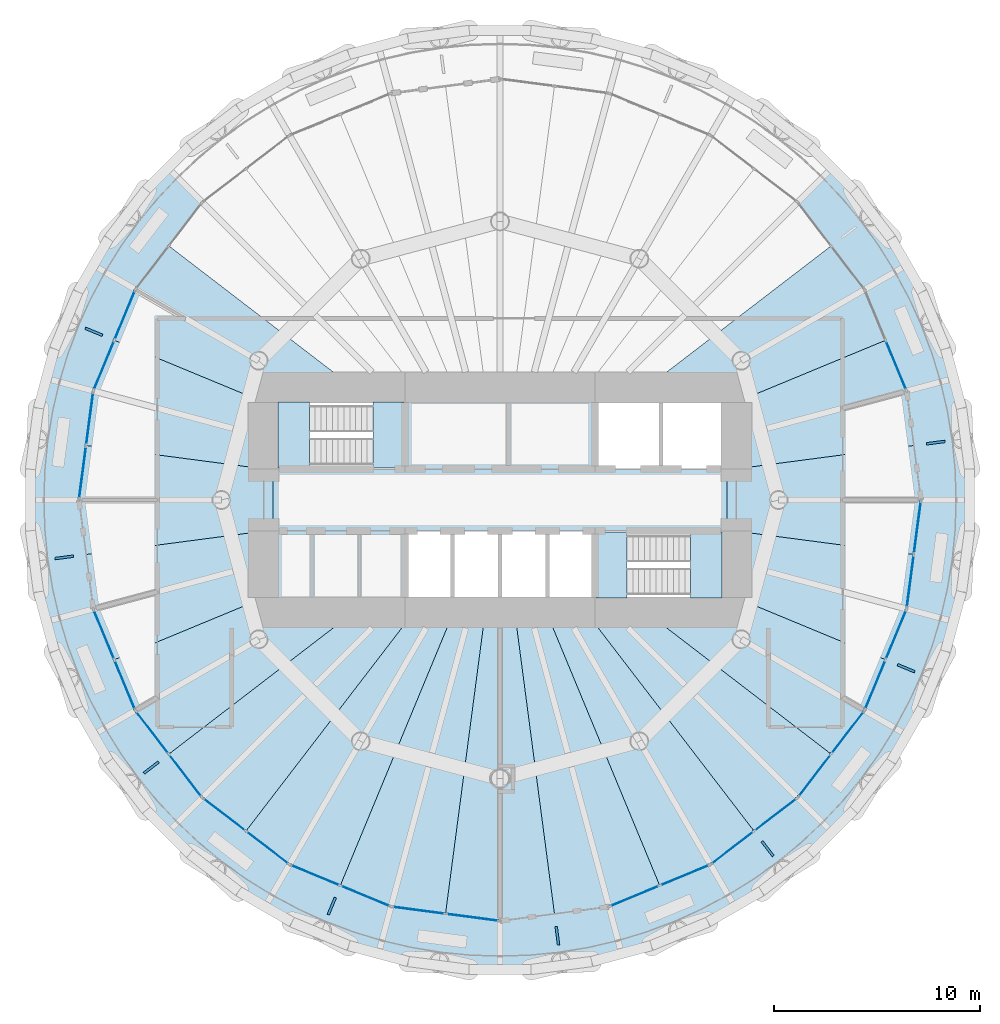
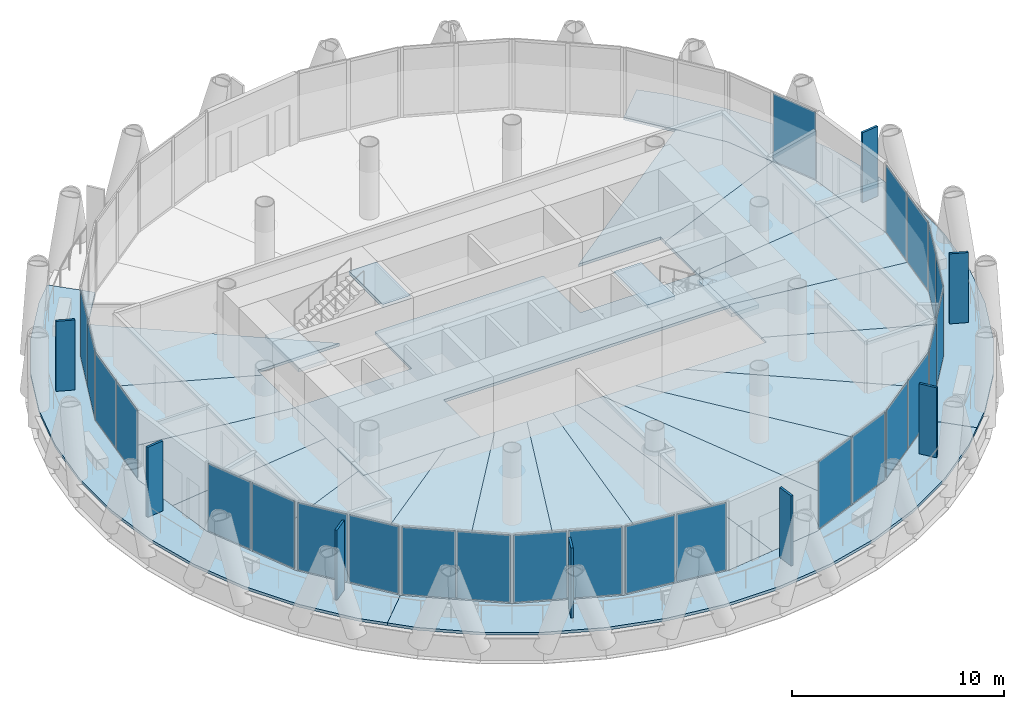
# One storey, part 8 of 14: 33 plates, 25 slabs, 15 elements without a shape of their own.
"""IFC4 building model written with IfcOpenShell, lengths in metres."""

from ifc_helpers import new_model, si_unit, direction, frame, origin, origin_2d, place, context, subcontext, project, spatial, polyline, rectangle, outline, extrude, material, layer, layer_set, type_object, element, aggregate, save


model = new_model("IFC4")

# Units and contexts
model_context = context("Model", 3, precision=1e-05, world=origin(), true_north=direction((0.0, 1.0)))
body_context = subcontext(model_context, "Body", "Model", "MODEL_VIEW")
ifc_project = project(units=[si_unit("LENGTHUNIT", "METRE"), si_unit("AREAUNIT", "SQUARE_METRE"), si_unit("VOLUMEUNIT", "CUBIC_METRE"), si_unit("PLANEANGLEUNIT", "RADIAN"), si_unit("MASSUNIT", "GRAM", prefix="KILO")], contexts=[model_context])

# Site, building, storey
site_placement = place(None, origin())
site = spatial("IfcSite", under=ifc_project, at=site_placement, CompositionType="ELEMENT")
building_placement = place(site_placement, origin())
building = spatial("IfcBuilding", under=site, at=building_placement, Name="Qaws Media Tower", CompositionType="ELEMENT")
storey_placement = place(building_placement, frame((0.0, 0.0, 215.0)))
storey = spatial("IfcBuildingStorey", under=building, at=storey_placement, Name="L49", CompositionType="ELEMENT", Elevation=215.0)

# Slabs
ifc_material_1 = material(Name="Concrete C35/45", Category="concrete")
ifc_layer_1 = layer(ifc_material_1, 0.159912109375)
ifc_layer_set_1 = layer_set([ifc_layer_1], Name="Composite balcony slab 160")
slab_type_1 = type_object("IfcSlabType", Name="Composite balcony slab 160", PredefinedType="FLOOR", material=ifc_layer_set_1)
slab_1_placement = place(storey_placement, frame((0.0, 0.0, -0.159912109375)))
element("IfcSlab", 1, at=slab_1_placement, inside=storey, type_object=slab_type_1, Name="S2 balcony slab L49 R10 to R16, movement joints on R10 and R16", PredefinedType="FLOOR", context=body_context, shape_type="SweptSolid", body=[
    extrude(outline(polyline([(42.858154296875, 34.966796875), (41.04248046875, 37.3330078125), (39.55126953125, 39.915771484375), (38.409912109375, 42.671142578125), (37.63818359375, 45.552001953125), (37.248779296875, 48.5087890625), (37.248779296875, 51.4912109375), (37.63818359375, 54.447998046875), (38.409912109375, 57.328857421875), (39.55126953125, 60.084228515625), (41.04248046875, 62.6669921875), (42.858154296875, 65.033203125), (43.91259765625, 66.08740234375), (45.574951171875, 64.425048828125), (42.3330078125, 60.199951171875), (40.295166015625, 55.27978515625), (39.60009765625, 50.0), (40.295166015625, 44.72021484375), (42.3330078125, 39.800048828125), (45.574951171875, 35.574951171875), (43.91259765625, 33.91259765625), (42.858154296875, 34.966796875)])), origin(), (0.0, 0.0, 1.0), 0.159912109375),
])
slab_2_placement = place(storey_placement, frame((0.0, 0.0, -0.159912109375)))
element("IfcSlab", 2, at=slab_2_placement, inside=storey, type_object=slab_type_1, Name="S2 balcony slab L49 R16 to R22, movement joints on R16 and R22", PredefinedType="FLOOR", context=body_context, shape_type="SweptSolid", body=[
    extrude(outline(polyline([(75.033203125, 32.858154296875), (72.6669921875, 31.04248046875), (70.084228515625, 29.55126953125), (67.328857421875, 28.409912109375), (64.447998046875, 27.63818359375), (61.4912109375, 27.248779296875), (58.5087890625, 27.248779296875), (55.552001953125, 27.63818359375), (52.671142578125, 28.409912109375), (49.915771484375, 29.55126953125), (47.3330078125, 31.04248046875), (44.966796875, 32.858154296875), (43.91259765625, 33.91259765625), (45.574951171875, 35.574951171875), (49.800048828125, 32.3330078125), (54.72021484375, 30.295166015625), (60.0, 29.60009765625), (65.27978515625, 30.295166015625), (70.199951171875, 32.3330078125), (74.425048828125, 35.574951171875), (76.08740234375, 33.91259765625), (75.033203125, 32.858154296875)])), origin(), (0.0, 0.0, 1.0), 0.159912109375),
])
slab_3_placement = place(storey_placement, frame((0.0, 0.0, -0.159912109375)))
element("IfcSlab", 3, at=slab_3_placement, inside=storey, type_object=slab_type_1, Name="S2 balcony slab L49 R22 to R04, movement joints on R22 and R04", PredefinedType="FLOOR", context=body_context, shape_type="SweptSolid", body=[
    extrude(outline(polyline([(82.36181640625, 45.552001953125), (81.590087890625, 42.671142578125), (80.44873046875, 39.915771484375), (78.95751953125, 37.3330078125), (77.141845703125, 34.966796875), (76.08740234375, 33.91259765625), (74.425048828125, 35.574951171875), (77.6669921875, 39.800048828125), (79.704833984375, 44.72021484375), (80.39990234375, 50.0), (79.704833984375, 55.27978515625), (77.6669921875, 60.199951171875), (74.425048828125, 64.425048828125), (76.08740234375, 66.08740234375), (77.141845703125, 65.033203125), (78.95751953125, 62.6669921875), (80.44873046875, 60.084228515625), (81.590087890625, 57.328857421875), (82.36181640625, 54.447998046875), (82.751220703125, 51.4912109375), (82.751220703125, 48.5087890625), (82.36181640625, 45.552001953125)])), origin(), (0.0, 0.0, 1.0), 0.159912109375),
])
ifc_material_2 = material(Name="Concrete C35/45", Category="concrete")
ifc_layer_2 = layer(ifc_material_2, 0.159912109375)
ifc_layer_set_2 = layer_set([ifc_layer_2], Name="Composite floor slab 160")
slab_type_2 = type_object("IfcSlabType", Name="Composite floor slab 160", PredefinedType="FLOOR", material=ifc_layer_set_2)
slab_4_placement = place(storey_placement, frame((0.0, 0.0, -0.159912109375)))
element("IfcSlab", 4, at=slab_4_placement, inside=storey, type_object=slab_type_2, Name="S1 core floor slab L49", PredefinedType="FLOOR", context=body_context, shape_type="SweptSolid", body=[
    extrude(outline(polyline([(71.0, 51.5), (71.0, 48.5), (55.39990234375, 48.5), (55.39990234375, 45.0), (49.0, 45.0), (49.0, 51.5), (55.39990234375, 51.5), (55.39990234375, 55.0), (64.60009765625, 55.0), (64.60009765625, 51.5), (71.0, 51.5)])), origin(), (0.0, 0.0, 1.0), 0.159912109375),
])
slab_5_placement = place(storey_placement, frame((0.0, 0.0, -0.159912109375)))
element("IfcSlab", 5, at=slab_5_placement, inside=storey, type_object=slab_type_2, Name="S1 floor panel L49 on R01", PredefinedType="FLOOR", context=body_context, shape_type="SweptSolid", body=[
    extrude(outline(polyline([(80.39990234375, 50.0), (80.052490234375, 47.360107421875), (71.0, 48.5517578125), (71.0, 51.4482421875), (80.052490234375, 52.639892578125), (80.39990234375, 50.0)])), origin(), (0.0, 0.0, 1.0), 0.159912109375),
])
slab_6_placement = place(storey_placement, frame((0.0, 0.0, -0.159912109375)))
element("IfcSlab", 6, at=slab_6_placement, inside=storey, type_object=slab_type_2, Name="S1 floor panel L49 on R02", PredefinedType="FLOOR", context=body_context, shape_type="SweptSolid", body=[
    extrude(outline(polyline([(79.704833984375, 55.27978515625), (80.052490234375, 52.639892578125), (71.0, 51.4482421875), (71.0, 54.556396484375), (78.685791015625, 57.739990234375), (79.704833984375, 55.27978515625)])), origin(), (0.0, 0.0, 1.0), 0.159912109375),
])
slab_7_placement = place(storey_placement, frame((0.0, 0.0, -0.159912109375)))
element("IfcSlab", 7, at=slab_7_placement, inside=storey, type_object=slab_type_2, Name="S1 floor panel L49 on R03", PredefinedType="FLOOR", context=body_context, shape_type="SweptSolid", body=[
    extrude(outline(polyline([(77.6669921875, 60.199951171875), (78.685791015625, 57.739990234375), (71.0, 54.556396484375), (71.0, 55.0), (66.51611328125, 55.0), (76.0458984375, 62.3125), (77.6669921875, 60.199951171875)])), origin(), (0.0, 0.0, 1.0), 0.159912109375),
])
slab_8_placement = place(storey_placement, frame((0.0, 0.0, -0.159912109375)))
element("IfcSlab", 8, at=slab_8_placement, inside=storey, type_object=slab_type_2, Name="S1 floor panel L49 on R11", PredefinedType="FLOOR", context=body_context, shape_type="SweptSolid", body=[
    extrude(outline(polyline([(42.3330078125, 60.199951171875), (43.9541015625, 62.3125), (53.48388671875, 55.0), (49.0, 55.0), (49.0, 54.556396484375), (41.314208984375, 57.739990234375), (42.3330078125, 60.199951171875)])), origin(), (0.0, 0.0, 1.0), 0.159912109375),
])
slab_9_placement = place(storey_placement, frame((0.0, 0.0, -0.159912109375)))
element("IfcSlab", 9, at=slab_9_placement, inside=storey, type_object=slab_type_2, Name="S1 floor panel L49 on R12", PredefinedType="FLOOR", context=body_context, shape_type="SweptSolid", body=[
    extrude(outline(polyline([(40.295166015625, 55.27978515625), (41.314208984375, 57.739990234375), (49.0, 54.556396484375), (49.0, 51.4482421875), (39.947509765625, 52.639892578125), (40.295166015625, 55.27978515625)])), origin(), (0.0, 0.0, 1.0), 0.159912109375),
])
slab_10_placement = place(storey_placement, frame((0.0, 0.0, -0.159912109375)))
element("IfcSlab", 10, at=slab_10_placement, inside=storey, type_object=slab_type_2, Name="S1 floor panel L49 on R13", PredefinedType="FLOOR", context=body_context, shape_type="SweptSolid", body=[
    extrude(outline(polyline([(39.60009765625, 50.0), (39.947509765625, 52.639892578125), (49.0, 51.4482421875), (49.0, 48.5517578125), (39.947509765625, 47.360107421875), (39.60009765625, 50.0)])), origin(), (0.0, 0.0, 1.0), 0.159912109375),
])
slab_11_placement = place(storey_placement, frame((0.0, 0.0, -0.159912109375)))
element("IfcSlab", 11, at=slab_11_placement, inside=storey, type_object=slab_type_2, Name="S1 floor panel L49 on R14", PredefinedType="FLOOR", context=body_context, shape_type="SweptSolid", body=[
    extrude(outline(polyline([(40.295166015625, 44.72021484375), (39.947509765625, 47.360107421875), (49.0, 48.5517578125), (49.0, 45.443603515625), (41.314208984375, 42.260009765625), (40.295166015625, 44.72021484375)])), origin(), (0.0, 0.0, 1.0), 0.159912109375),
])
slab_12_placement = place(storey_placement, frame((0.0, 0.0, -0.159912109375)))
element("IfcSlab", 12, at=slab_12_placement, inside=storey, type_object=slab_type_2, Name="S1 floor panel L49 on R15", PredefinedType="FLOOR", context=body_context, shape_type="SweptSolid", body=[
    extrude(outline(polyline([(42.3330078125, 39.800048828125), (41.314208984375, 42.260009765625), (49.0, 45.443603515625), (49.0, 45.0), (53.48388671875, 45.0), (43.9541015625, 37.6875), (42.3330078125, 39.800048828125)])), origin(), (0.0, 0.0, 1.0), 0.159912109375),
])
slab_13_placement = place(storey_placement, frame((0.0, 0.0, -0.159912109375)))
element("IfcSlab", 13, at=slab_13_placement, inside=storey, type_object=slab_type_2, Name="S1 floor panel L49 on R16", PredefinedType="FLOOR", context=body_context, shape_type="SweptSolid", body=[
    extrude(outline(polyline([(45.574951171875, 35.574951171875), (43.9541015625, 37.6875), (53.48388671875, 45.0), (56.163330078125, 45.0), (47.6875, 33.9541015625), (45.574951171875, 35.574951171875)])), origin(), (0.0, 0.0, 1.0), 0.159912109375),
])
slab_14_placement = place(storey_placement, frame((0.0, 0.0, -0.159912109375)))
element("IfcSlab", 14, at=slab_14_placement, inside=storey, type_object=slab_type_2, Name="S1 floor panel L49 on R17", PredefinedType="FLOOR", context=body_context, shape_type="SweptSolid", body=[
    extrude(outline(polyline([(49.800048828125, 32.3330078125), (47.6875, 33.9541015625), (56.163330078125, 45.0), (57.928955078125, 45.0), (52.260009765625, 31.314208984375), (49.800048828125, 32.3330078125)])), origin(), (0.0, 0.0, 1.0), 0.159912109375),
])
slab_15_placement = place(storey_placement, frame((0.0, 0.0, -0.159912109375)))
element("IfcSlab", 15, at=slab_15_placement, inside=storey, type_object=slab_type_2, Name="S1 floor panel L49 on R18", PredefinedType="FLOOR", context=body_context, shape_type="SweptSolid", body=[
    extrude(outline(polyline([(54.72021484375, 30.295166015625), (52.260009765625, 31.314208984375), (57.928955078125, 45.0), (59.341796875, 45.0), (57.360107421875, 29.947509765625), (54.72021484375, 30.295166015625)])), origin(), (0.0, 0.0, 1.0), 0.159912109375),
])
slab_16_placement = place(storey_placement, frame((0.0, 0.0, -0.159912109375)))
element("IfcSlab", 16, at=slab_16_placement, inside=storey, type_object=slab_type_2, Name="S1 floor panel L49 on R19", PredefinedType="FLOOR", context=body_context, shape_type="SweptSolid", body=[
    extrude(outline(polyline([(60.0, 29.60009765625), (57.360107421875, 29.947509765625), (59.341796875, 45.0), (60.658203125, 45.0), (62.639892578125, 29.947509765625), (60.0, 29.60009765625)])), origin(), (0.0, 0.0, 1.0), 0.159912109375),
])
slab_17_placement = place(storey_placement, frame((0.0, 0.0, -0.159912109375)))
element("IfcSlab", 17, at=slab_17_placement, inside=storey, type_object=slab_type_2, Name="S1 floor panel L49 on R20", PredefinedType="FLOOR", context=body_context, shape_type="SweptSolid", body=[
    extrude(outline(polyline([(65.27978515625, 30.295166015625), (62.639892578125, 29.947509765625), (60.658203125, 45.0), (62.071044921875, 45.0), (67.739990234375, 31.314208984375), (65.27978515625, 30.295166015625)])), origin(), (0.0, 0.0, 1.0), 0.159912109375),
])
slab_18_placement = place(storey_placement, frame((0.0, 0.0, -0.159912109375)))
element("IfcSlab", 18, at=slab_18_placement, inside=storey, type_object=slab_type_2, Name="S1 floor panel L49 on R21", PredefinedType="FLOOR", context=body_context, shape_type="SweptSolid", body=[
    extrude(outline(polyline([(70.199951171875, 32.3330078125), (67.739990234375, 31.314208984375), (62.071044921875, 45.0), (63.836669921875, 45.0), (72.3125, 33.9541015625), (70.199951171875, 32.3330078125)])), origin(), (0.0, 0.0, 1.0), 0.159912109375),
])
slab_19_placement = place(storey_placement, frame((0.0, 0.0, -0.159912109375)))
element("IfcSlab", 19, at=slab_19_placement, inside=storey, type_object=slab_type_2, Name="S1 floor panel L49 on R22", PredefinedType="FLOOR", context=body_context, shape_type="SweptSolid", body=[
    extrude(outline(polyline([(74.425048828125, 35.574951171875), (72.3125, 33.9541015625), (63.836669921875, 45.0), (66.51611328125, 45.0), (76.0458984375, 37.6875), (74.425048828125, 35.574951171875)])), origin(), (0.0, 0.0, 1.0), 0.159912109375),
])
slab_20_placement = place(storey_placement, frame((0.0, 0.0, -0.159912109375)))
element("IfcSlab", 20, at=slab_20_placement, inside=storey, type_object=slab_type_2, Name="S1 floor panel L49 on R23", PredefinedType="FLOOR", context=body_context, shape_type="SweptSolid", body=[
    extrude(outline(polyline([(77.6669921875, 39.800048828125), (76.0458984375, 37.6875), (66.51611328125, 45.0), (71.0, 45.0), (71.0, 45.443603515625), (78.685791015625, 42.260009765625), (77.6669921875, 39.800048828125)])), origin(), (0.0, 0.0, 1.0), 0.159912109375),
])
slab_21_placement = place(storey_placement, frame((0.0, 0.0, -0.159912109375)))
element("IfcSlab", 21, at=slab_21_placement, inside=storey, type_object=slab_type_2, Name="S1 floor panel L49 on R24", PredefinedType="FLOOR", context=body_context, shape_type="SweptSolid", body=[
    extrude(outline(polyline([(78.685791015625, 42.260009765625), (71.0, 45.443603515625), (71.0, 48.5517578125), (80.052490234375, 47.360107421875), (79.704833984375, 44.72021484375), (78.685791015625, 42.260009765625)])), origin(), (0.0, 0.0, 1.0), 0.159912109375),
])

# Curtain wall, plate
ifc_material_3 = material(Name="Aluminium and clear glass", Category="aluminium")
curtain_wall_type = type_object("IfcCurtainWallType", Name="Unitised curtain wall CW-C", PredefinedType="NOTDEFINED", material=ifc_material_3)
curtain_wall_1_placement = place(storey_placement, origin())
curtain_wall_1 = element("IfcCurtainWall", 22, at=curtain_wall_1_placement, inside=storey, type_object=curtain_wall_type, Name="CWC curtain wall L49-02", PredefinedType="NOTDEFINED")
ifc_material_4 = material(Name="Clear laminated double glazing", Category="glass")
ifc_layer_3 = layer(ifc_material_4, 0.031982421875)
ifc_layer_set_3 = layer_set([ifc_layer_3], Name="Curtain wall glass unit 32")
plate_type_1 = type_object("IfcPlateType", Name="Curtain wall glass unit 32", PredefinedType="CURTAIN_PANEL", material=ifc_layer_set_3)
plate_1_placement = place(storey_placement, frame((79.187744140625, 56.5283203125, 0.080078125), z_axis=(0.0, 0.0, 1.0), x_axis=(-0.382683525276, 0.923879494026, 0.0)))
plate_1 = element("IfcPlate", 23, at=plate_1_placement, type_object=plate_type_1, Name="CWC panel 1.1", PredefinedType="CURTAIN_PANEL", context=body_context, shape_type="SweptSolid", body=[
    extrude(rectangle(XDim=2.542724609375, YDim=0.031982421875, at=origin_2d()), origin(), (0.0, 0.0, 1.0), 3.8798828125),
])
aggregate(curtain_wall_1, [plate_1])

# Curtain wall, plates
curtain_wall_2_placement = place(storey_placement, origin())
curtain_wall_2 = element("IfcCurtainWall", 24, at=curtain_wall_2_placement, inside=storey, type_object=curtain_wall_type, Name="CWC curtain wall L49-11", PredefinedType="NOTDEFINED")
plate_2_placement = place(storey_placement, frame((41.81591796875, 58.951416015625, 0.080078125), z_axis=(0.0, 0.0, 1.0), x_axis=(-0.382683525276, -0.923879494026, 0.0)))
plate_2 = element("IfcPlate", 25, at=plate_2_placement, type_object=plate_type_1, Name="CWC panel 1.1", PredefinedType="CURTAIN_PANEL", context=body_context, shape_type="SweptSolid", body=[
    extrude(rectangle(XDim=2.542724609375, YDim=0.031982421875, at=origin_2d()), origin(), (0.0, 0.0, 1.0), 3.8798828125),
])
plate_3_placement = place(storey_placement, frame((40.812255859375, 56.5283203125, 0.080078125), z_axis=(0.0, 0.0, 1.0), x_axis=(-0.382683525276, -0.923879494026, 0.0)))
plate_3 = element("IfcPlate", 26, at=plate_3_placement, type_object=plate_type_1, Name="CWC panel 2.1", PredefinedType="CURTAIN_PANEL", context=body_context, shape_type="SweptSolid", body=[
    extrude(rectangle(XDim=2.542724609375, YDim=0.031982421875, at=origin_2d()), origin(), (0.0, 0.0, 1.0), 3.8798828125),
])
aggregate(curtain_wall_2, [plate_2, plate_3])

curtain_wall_3_placement = place(storey_placement, origin())
curtain_wall_3 = element("IfcCurtainWall", 27, at=curtain_wall_3_placement, inside=storey, type_object=curtain_wall_type, Name="CWC curtain wall L49-12", PredefinedType="NOTDEFINED")
plate_4_placement = place(storey_placement, frame((40.11865234375, 53.940185546875, 0.080078125), z_axis=(0.0, 0.0, 1.0), x_axis=(-0.13052615403, -0.991444866402, 0.0)))
plate_4 = element("IfcPlate", 28, at=plate_4_placement, type_object=plate_type_1, Name="CWC panel 1.1", PredefinedType="CURTAIN_PANEL", context=body_context, shape_type="SweptSolid", body=[
    extrude(rectangle(XDim=2.542724609375, YDim=0.031982421875, at=origin_2d()), origin(), (0.0, 0.0, 1.0), 3.8798828125),
])
plate_5_placement = place(storey_placement, frame((39.7763671875, 51.33984375, 0.080078125), z_axis=(0.0, 0.0, 1.0), x_axis=(-0.13052615403, -0.991444866402, 0.0)))
plate_5 = element("IfcPlate", 29, at=plate_5_placement, type_object=plate_type_1, Name="CWC panel 2.1", PredefinedType="CURTAIN_PANEL", context=body_context, shape_type="SweptSolid", body=[
    extrude(rectangle(XDim=2.542724609375, YDim=0.031982421875, at=origin_2d()), origin(), (0.0, 0.0, 1.0), 3.8798828125),
])
aggregate(curtain_wall_3, [plate_4, plate_5])

curtain_wall_4_placement = place(storey_placement, origin())
curtain_wall_4 = element("IfcCurtainWall", 30, at=curtain_wall_4_placement, inside=storey, type_object=curtain_wall_type, Name="CWC curtain wall L49-14", PredefinedType="NOTDEFINED")
plate_6_placement = place(storey_placement, frame((40.812255859375, 43.4716796875, 0.080078125), z_axis=(0.0, 0.0, 1.0), x_axis=(0.382683525276, -0.923879494026, 0.0)))
plate_6 = element("IfcPlate", 31, at=plate_6_placement, type_object=plate_type_1, Name="CWC panel 1.1", PredefinedType="CURTAIN_PANEL", context=body_context, shape_type="SweptSolid", body=[
    extrude(rectangle(XDim=2.542724609375, YDim=0.031982421875, at=origin_2d()), origin(), (0.0, 0.0, 1.0), 3.8798828125),
])
plate_7_placement = place(storey_placement, frame((41.81591796875, 41.048583984375, 0.080078125), z_axis=(0.0, 0.0, 1.0), x_axis=(0.382683525276, -0.923879494026, 0.0)))
plate_7 = element("IfcPlate", 32, at=plate_7_placement, type_object=plate_type_1, Name="CWC panel 2.1", PredefinedType="CURTAIN_PANEL", context=body_context, shape_type="SweptSolid", body=[
    extrude(rectangle(XDim=2.542724609375, YDim=0.031982421875, at=origin_2d()), origin(), (0.0, 0.0, 1.0), 3.8798828125),
])
aggregate(curtain_wall_4, [plate_6, plate_7])

curtain_wall_5_placement = place(storey_placement, origin())
curtain_wall_5 = element("IfcCurtainWall", 33, at=curtain_wall_5_placement, inside=storey, type_object=curtain_wall_type, Name="CWC curtain wall L49-15", PredefinedType="NOTDEFINED")
plate_8_placement = place(storey_placement, frame((43.15576171875, 38.727783203125, 0.080078125), z_axis=(0.0, 0.0, 1.0), x_axis=(0.608761471199, -0.793353307917, 0.0)))
plate_8 = element("IfcPlate", 34, at=plate_8_placement, type_object=plate_type_1, Name="CWC panel 1.1", PredefinedType="CURTAIN_PANEL", context=body_context, shape_type="SweptSolid", body=[
    extrude(rectangle(XDim=2.542724609375, YDim=0.031982421875, at=origin_2d()), origin(), (0.0, 0.0, 1.0), 3.8798828125),
])
plate_9_placement = place(storey_placement, frame((44.75244140625, 36.647216796875, 0.080078125), z_axis=(0.0, 0.0, 1.0), x_axis=(0.608761471199, -0.793353307917, 0.0)))
plate_9 = element("IfcPlate", 35, at=plate_9_placement, type_object=plate_type_1, Name="CWC panel 2.1", PredefinedType="CURTAIN_PANEL", context=body_context, shape_type="SweptSolid", body=[
    extrude(rectangle(XDim=2.542724609375, YDim=0.031982421875, at=origin_2d()), origin(), (0.0, 0.0, 1.0), 3.8798828125),
])
aggregate(curtain_wall_5, [plate_8, plate_9])

curtain_wall_6_placement = place(storey_placement, origin())
curtain_wall_6 = element("IfcCurtainWall", 36, at=curtain_wall_6_placement, inside=storey, type_object=curtain_wall_type, Name="CWC curtain wall L49-16", PredefinedType="NOTDEFINED")
plate_10_placement = place(storey_placement, frame((46.647216796875, 34.75244140625, 0.080078125), z_axis=(0.0, 0.0, 1.0), x_axis=(0.793353307917, -0.608761471199, 0.0)))
plate_10 = element("IfcPlate", 37, at=plate_10_placement, type_object=plate_type_1, Name="CWC panel 1.1", PredefinedType="CURTAIN_PANEL", context=body_context, shape_type="SweptSolid", body=[
    extrude(rectangle(XDim=2.542724609375, YDim=0.031982421875, at=origin_2d()), origin(), (0.0, 0.0, 1.0), 3.8798828125),
])
plate_11_placement = place(storey_placement, frame((48.727783203125, 33.15576171875, 0.080078125), z_axis=(0.0, 0.0, 1.0), x_axis=(0.793353307917, -0.608761471199, 0.0)))
plate_11 = element("IfcPlate", 38, at=plate_11_placement, type_object=plate_type_1, Name="CWC panel 2.1", PredefinedType="CURTAIN_PANEL", context=body_context, shape_type="SweptSolid", body=[
    extrude(rectangle(XDim=2.542724609375, YDim=0.031982421875, at=origin_2d()), origin(), (0.0, 0.0, 1.0), 3.8798828125),
])
aggregate(curtain_wall_6, [plate_10, plate_11])

curtain_wall_7_placement = place(storey_placement, origin())
curtain_wall_7 = element("IfcCurtainWall", 39, at=curtain_wall_7_placement, inside=storey, type_object=curtain_wall_type, Name="CWC curtain wall L49-17", PredefinedType="NOTDEFINED")
plate_12_placement = place(storey_placement, frame((51.048583984375, 31.81591796875, 0.080078125), z_axis=(0.0, 0.0, 1.0), x_axis=(0.923879494026, -0.382683525276, 0.0)))
plate_12 = element("IfcPlate", 40, at=plate_12_placement, type_object=plate_type_1, Name="CWC panel 1.1", PredefinedType="CURTAIN_PANEL", context=body_context, shape_type="SweptSolid", body=[
    extrude(rectangle(XDim=2.542724609375, YDim=0.031982421875, at=origin_2d()), origin(), (0.0, 0.0, 1.0), 3.8798828125),
])
plate_13_placement = place(storey_placement, frame((53.4716796875, 30.812255859375, 0.080078125), z_axis=(0.0, 0.0, 1.0), x_axis=(0.923879494026, -0.382683525276, 0.0)))
plate_13 = element("IfcPlate", 41, at=plate_13_placement, type_object=plate_type_1, Name="CWC panel 2.1", PredefinedType="CURTAIN_PANEL", context=body_context, shape_type="SweptSolid", body=[
    extrude(rectangle(XDim=2.542724609375, YDim=0.031982421875, at=origin_2d()), origin(), (0.0, 0.0, 1.0), 3.8798828125),
])
aggregate(curtain_wall_7, [plate_12, plate_13])

curtain_wall_8_placement = place(storey_placement, origin())
curtain_wall_8 = element("IfcCurtainWall", 42, at=curtain_wall_8_placement, inside=storey, type_object=curtain_wall_type, Name="CWC curtain wall L49-18", PredefinedType="NOTDEFINED")
plate_14_placement = place(storey_placement, frame((56.059814453125, 30.11865234375, 0.080078125), z_axis=(0.0, 0.0, 1.0), x_axis=(0.991444866402, -0.13052615403, 0.0)))
plate_14 = element("IfcPlate", 43, at=plate_14_placement, type_object=plate_type_1, Name="CWC panel 1.1", PredefinedType="CURTAIN_PANEL", context=body_context, shape_type="SweptSolid", body=[
    extrude(rectangle(XDim=2.542724609375, YDim=0.031982421875, at=origin_2d()), origin(), (0.0, 0.0, 1.0), 3.8798828125),
])
plate_15_placement = place(storey_placement, frame((58.66015625, 29.7763671875, 0.080078125), z_axis=(0.0, 0.0, 1.0), x_axis=(0.991444866402, -0.13052615403, 0.0)))
plate_15 = element("IfcPlate", 44, at=plate_15_placement, type_object=plate_type_1, Name="CWC panel 2.1", PredefinedType="CURTAIN_PANEL", context=body_context, shape_type="SweptSolid", body=[
    extrude(rectangle(XDim=2.542724609375, YDim=0.031982421875, at=origin_2d()), origin(), (0.0, 0.0, 1.0), 3.8798828125),
])
aggregate(curtain_wall_8, [plate_14, plate_15])

curtain_wall_9_placement = place(storey_placement, origin())
curtain_wall_9 = element("IfcCurtainWall", 45, at=curtain_wall_9_placement, inside=storey, type_object=curtain_wall_type, Name="CWC curtain wall L49-20", PredefinedType="NOTDEFINED")
plate_16_placement = place(storey_placement, frame((66.5283203125, 30.812255859375, 0.080078125), z_axis=(0.0, 0.0, 1.0), x_axis=(0.923879494026, 0.382683525276, 0.0)))
plate_16 = element("IfcPlate", 46, at=plate_16_placement, type_object=plate_type_1, Name="CWC panel 1.1", PredefinedType="CURTAIN_PANEL", context=body_context, shape_type="SweptSolid", body=[
    extrude(rectangle(XDim=2.542724609375, YDim=0.031982421875, at=origin_2d()), origin(), (0.0, 0.0, 1.0), 3.8798828125),
])
plate_17_placement = place(storey_placement, frame((68.951416015625, 31.81591796875, 0.080078125), z_axis=(0.0, 0.0, 1.0), x_axis=(0.923879494026, 0.382683525276, 0.0)))
plate_17 = element("IfcPlate", 47, at=plate_17_placement, type_object=plate_type_1, Name="CWC panel 2.1", PredefinedType="CURTAIN_PANEL", context=body_context, shape_type="SweptSolid", body=[
    extrude(rectangle(XDim=2.542724609375, YDim=0.031982421875, at=origin_2d()), origin(), (0.0, 0.0, 1.0), 3.8798828125),
])
aggregate(curtain_wall_9, [plate_16, plate_17])

curtain_wall_10_placement = place(storey_placement, origin())
curtain_wall_10 = element("IfcCurtainWall", 48, at=curtain_wall_10_placement, inside=storey, type_object=curtain_wall_type, Name="CWC curtain wall L49-21", PredefinedType="NOTDEFINED")
plate_18_placement = place(storey_placement, frame((71.272216796875, 33.15576171875, 0.080078125), z_axis=(0.0, 0.0, 1.0), x_axis=(0.793353307917, 0.608761471199, 0.0)))
plate_18 = element("IfcPlate", 49, at=plate_18_placement, type_object=plate_type_1, Name="CWC panel 1.1", PredefinedType="CURTAIN_PANEL", context=body_context, shape_type="SweptSolid", body=[
    extrude(rectangle(XDim=2.542724609375, YDim=0.031982421875, at=origin_2d()), origin(), (0.0, 0.0, 1.0), 3.8798828125),
])
plate_19_placement = place(storey_placement, frame((73.352783203125, 34.75244140625, 0.080078125), z_axis=(0.0, 0.0, 1.0), x_axis=(0.793353307917, 0.608761471199, 0.0)))
plate_19 = element("IfcPlate", 50, at=plate_19_placement, type_object=plate_type_1, Name="CWC panel 2.1", PredefinedType="CURTAIN_PANEL", context=body_context, shape_type="SweptSolid", body=[
    extrude(rectangle(XDim=2.542724609375, YDim=0.031982421875, at=origin_2d()), origin(), (0.0, 0.0, 1.0), 3.8798828125),
])
aggregate(curtain_wall_10, [plate_18, plate_19])

curtain_wall_11_placement = place(storey_placement, origin())
curtain_wall_11 = element("IfcCurtainWall", 51, at=curtain_wall_11_placement, inside=storey, type_object=curtain_wall_type, Name="CWC curtain wall L49-22", PredefinedType="NOTDEFINED")
plate_20_placement = place(storey_placement, frame((75.24755859375, 36.647216796875, 0.080078125), z_axis=(0.0, 0.0, 1.0), x_axis=(0.608761471199, 0.793353307917, 0.0)))
plate_20 = element("IfcPlate", 52, at=plate_20_placement, type_object=plate_type_1, Name="CWC panel 1.1", PredefinedType="CURTAIN_PANEL", context=body_context, shape_type="SweptSolid", body=[
    extrude(rectangle(XDim=2.542724609375, YDim=0.031982421875, at=origin_2d()), origin(), (0.0, 0.0, 1.0), 3.8798828125),
])
plate_21_placement = place(storey_placement, frame((76.84423828125, 38.727783203125, 0.080078125), z_axis=(0.0, 0.0, 1.0), x_axis=(0.608761471199, 0.793353307917, 0.0)))
plate_21 = element("IfcPlate", 53, at=plate_21_placement, type_object=plate_type_1, Name="CWC panel 2.1", PredefinedType="CURTAIN_PANEL", context=body_context, shape_type="SweptSolid", body=[
    extrude(rectangle(XDim=2.542724609375, YDim=0.031982421875, at=origin_2d()), origin(), (0.0, 0.0, 1.0), 3.8798828125),
])
aggregate(curtain_wall_11, [plate_20, plate_21])

curtain_wall_12_placement = place(storey_placement, origin())
curtain_wall_12 = element("IfcCurtainWall", 54, at=curtain_wall_12_placement, inside=storey, type_object=curtain_wall_type, Name="CWC curtain wall L49-23", PredefinedType="NOTDEFINED")
plate_22_placement = place(storey_placement, frame((78.18408203125, 41.048583984375, 0.080078125), z_axis=(0.0, 0.0, 1.0), x_axis=(0.382683525276, 0.923879494026, 0.0)))
plate_22 = element("IfcPlate", 55, at=plate_22_placement, type_object=plate_type_1, Name="CWC panel 1.1", PredefinedType="CURTAIN_PANEL", context=body_context, shape_type="SweptSolid", body=[
    extrude(rectangle(XDim=2.542724609375, YDim=0.031982421875, at=origin_2d()), origin(), (0.0, 0.0, 1.0), 3.8798828125),
])
plate_23_placement = place(storey_placement, frame((79.187744140625, 43.4716796875, 0.080078125), z_axis=(0.0, 0.0, 1.0), x_axis=(0.382683525276, 0.923879494026, 0.0)))
plate_23 = element("IfcPlate", 56, at=plate_23_placement, type_object=plate_type_1, Name="CWC panel 2.1", PredefinedType="CURTAIN_PANEL", context=body_context, shape_type="SweptSolid", body=[
    extrude(rectangle(XDim=2.542724609375, YDim=0.031982421875, at=origin_2d()), origin(), (0.0, 0.0, 1.0), 3.8798828125),
])
aggregate(curtain_wall_12, [plate_22, plate_23])

curtain_wall_13_placement = place(storey_placement, origin())
curtain_wall_13 = element("IfcCurtainWall", 57, at=curtain_wall_13_placement, inside=storey, type_object=curtain_wall_type, Name="CWC curtain wall L49-24", PredefinedType="NOTDEFINED")
plate_24_placement = place(storey_placement, frame((79.88134765625, 46.059814453125, 0.080078125), z_axis=(0.0, 0.0, 1.0), x_axis=(0.13052615403, 0.991444866402, 0.0)))
plate_24 = element("IfcPlate", 58, at=plate_24_placement, type_object=plate_type_1, Name="CWC panel 1.1", PredefinedType="CURTAIN_PANEL", context=body_context, shape_type="SweptSolid", body=[
    extrude(rectangle(XDim=2.542724609375, YDim=0.031982421875, at=origin_2d()), origin(), (0.0, 0.0, 1.0), 3.8798828125),
])
plate_25_placement = place(storey_placement, frame((80.2236328125, 48.66015625, 0.080078125), z_axis=(0.0, 0.0, 1.0), x_axis=(0.13052615403, 0.991444866402, 0.0)))
plate_25 = element("IfcPlate", 59, at=plate_25_placement, type_object=plate_type_1, Name="CWC panel 2.1", PredefinedType="CURTAIN_PANEL", context=body_context, shape_type="SweptSolid", body=[
    extrude(rectangle(XDim=2.542724609375, YDim=0.031982421875, at=origin_2d()), origin(), (0.0, 0.0, 1.0), 3.8798828125),
])
aggregate(curtain_wall_13, [plate_24, plate_25])

# Plates
ifc_material_5 = material(Name="Precast concrete screen fin", Category="concrete")
ifc_layer_4 = layer(ifc_material_5, 0.1201171875)
ifc_layer_set_4 = layer_set([ifc_layer_4], Name="Screen fin 120x900")
plate_type_2 = type_object("IfcPlateType", Name="Screen fin 120x900", PredefinedType="USERDEFINED", material=ifc_layer_set_4)
for number, where, z_axis, x_axis, name in (
    (60, (81.11767578125, 52.7802734375, 0.0), (0.0, 0.0, 1.0), (0.991444861374, 0.13052619222, 0.0), "SCR1 screen fin L49-01"),
    (61, (40.3212890625, 58.151123046875, 0.0), (0.0, 0.0, 1.0), (-0.923879532511, 0.382683432365, 0.0), "SCR1 screen fin L49-06"),
    (62, (38.88232421875, 47.2197265625, 0.0), (0.0, 0.0, 1.0), (-0.991444861374, -0.13052619222, 0.0), "SCR1 screen fin L49-07"),
    (63, (43.1015625, 37.033447265625, 0.0), (0.0, 0.0, 1.0), (-0.793353340291, -0.608761429009, 0.0), "SCR1 screen fin L49-08"),
    (64, (51.848876953125, 30.3212890625, 0.0), (0.0, 0.0, 1.0), (-0.382683432365, -0.923879532511, 0.0), "SCR1 screen fin L49-09"),
    (65, (62.7802734375, 28.88232421875, 0.0), (0.0, 0.0, 1.0), (0.13052619222, -0.991444861374, 0.0), "SCR1 screen fin L49-10"),
    (66, (72.966552734375, 33.1015625, 0.0), (0.0, 0.0, 1.0), (0.608761429009, -0.793353340291, 0.0), "SCR1 screen fin L49-11"),
    (67, (79.6787109375, 41.848876953125, 0.0), (0.0, 0.0, 1.0), (0.923879532511, -0.382683432365, 0.0), "SCR1 screen fin L49-12"),
):
    element("IfcPlate", number, at=place(storey_placement, frame(where, z_axis=z_axis, x_axis=x_axis)), inside=storey, type_object=plate_type_2, Name=name, ObjectType="SCREEN", PredefinedType="USERDEFINED", context=body_context, shape_type="SweptSolid", body=[
        extrude(rectangle(XDim=0.89990234375, YDim=0.1201171875, at=origin_2d()), origin(), (0.0, 0.0, 1.0), 4.0400390625),
    ])

# Stair, slabs
ifc_material_6 = material(Name="Concrete C40/50", Category="concrete")
stair_type = type_object("IfcStairType", Name="Exit stair", PredefinedType="HALF_TURN_STAIR", material=ifc_material_6)
stair_1_placement = place(storey_placement, origin())
stair_1 = element("IfcStair", 68, at=stair_1_placement, inside=storey, type_object=stair_type, Name="S1 exit stair L49", PredefinedType="HALF_TURN_STAIR")
ifc_material_7 = material(Name="Concrete C40/50", Category="concrete")
ifc_layer_5 = layer(ifc_material_7, 0.199951171875)
ifc_layer_set_5 = layer_set([ifc_layer_5], Name="Stair landing 200")
slab_type_3 = type_object("IfcSlabType", Name="Stair landing 200", PredefinedType="LANDING", material=ifc_layer_set_5)
slab_22_placement = place(storey_placement, frame((0.0, 0.0, 1.89990234375)))
slab_22 = element("IfcSlab", 69, at=slab_22_placement, type_object=slab_type_3, Name="S1 landing 1", PredefinedType="LANDING", context=body_context, shape_type="SweptSolid", body=[
    extrude(outline(polyline([(49.25, 51.550048828125), (50.760009765625, 51.550048828125), (50.760009765625, 54.75), (49.25, 54.75), (49.25, 51.550048828125)])), origin(), (0.0, 0.0, 1.0), 0.2001953125),
])
slab_23_placement = place(storey_placement, frame((0.0, 0.0, 4.0)))
slab_23 = element("IfcSlab", 70, at=slab_23_placement, type_object=slab_type_3, Name="S1 landing 2", PredefinedType="LANDING", context=body_context, shape_type="SweptSolid", body=[
    extrude(outline(polyline([(53.840087890625, 51.550048828125), (55.35009765625, 51.550048828125), (55.35009765625, 54.75), (53.840087890625, 54.75), (53.840087890625, 51.550048828125)])), origin(), (0.0, 0.0, 1.0), 0.199951171875),
])
aggregate(stair_1, [slab_22, slab_23])

stair_2_placement = place(storey_placement, origin())
stair_2 = element("IfcStair", 71, at=stair_2_placement, inside=storey, type_object=stair_type, Name="S2 exit stair L49", PredefinedType="HALF_TURN_STAIR")
slab_24_placement = place(storey_placement, frame((0.0, 0.0, 1.89990234375)))
slab_24 = element("IfcSlab", 72, at=slab_24_placement, type_object=slab_type_3, Name="S2 landing 1", PredefinedType="LANDING", context=body_context, shape_type="SweptSolid", body=[
    extrude(outline(polyline([(69.239990234375, 45.25), (70.75, 45.25), (70.75, 48.449951171875), (69.239990234375, 48.449951171875), (69.239990234375, 45.25)])), origin(), (0.0, 0.0, 1.0), 0.2001953125),
])
slab_25_placement = place(storey_placement, frame((0.0, 0.0, 4.0)))
slab_25 = element("IfcSlab", 73, at=slab_25_placement, type_object=slab_type_3, Name="S2 landing 2", PredefinedType="LANDING", context=body_context, shape_type="SweptSolid", body=[
    extrude(outline(polyline([(64.64990234375, 45.25), (66.159912109375, 45.25), (66.159912109375, 48.449951171875), (64.64990234375, 48.449951171875), (64.64990234375, 45.25)])), origin(), (0.0, 0.0, 1.0), 0.199951171875),
])
aggregate(stair_2, [slab_24, slab_25])

save(model, "model.ifc")
